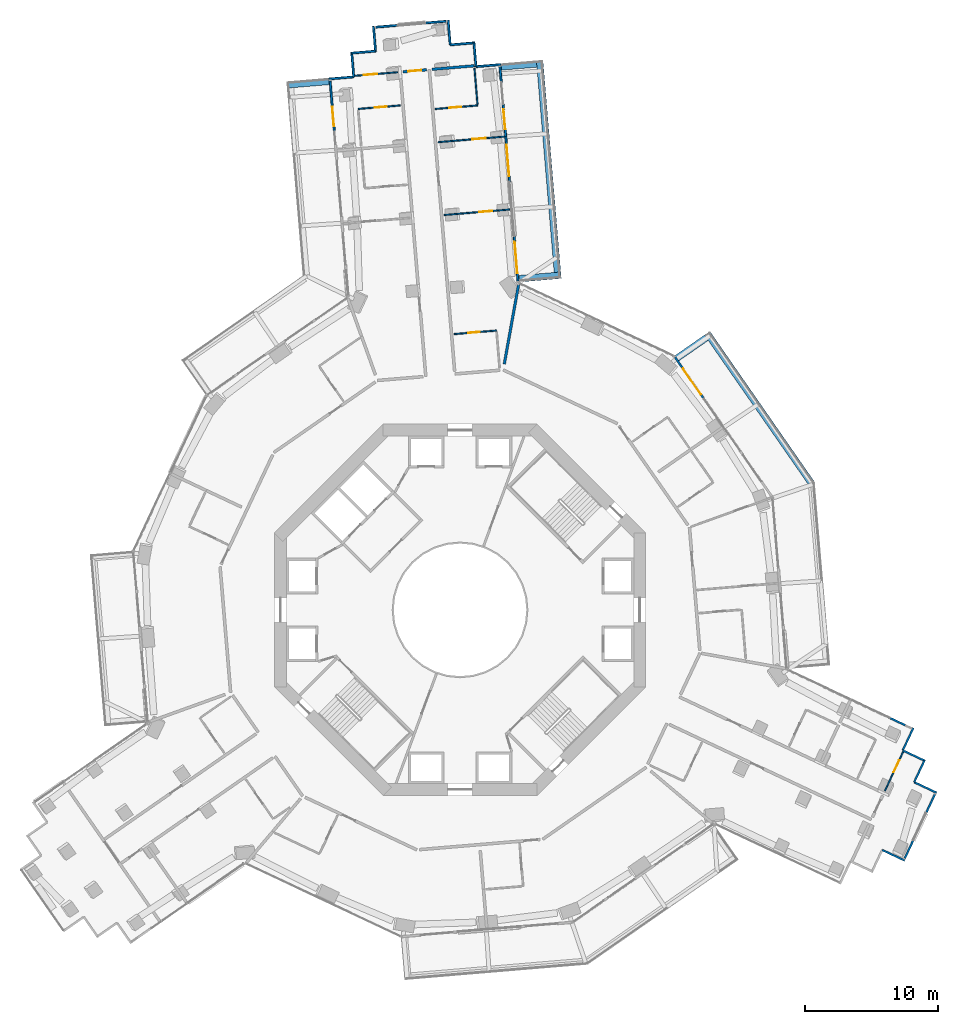
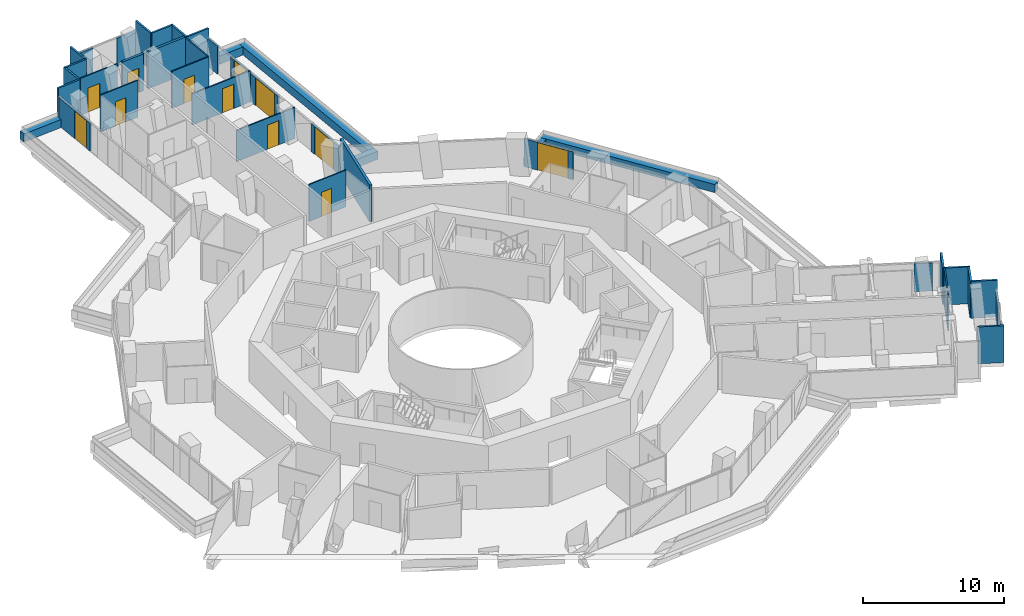
# One storey, part 23 of 26: 41 walls, 13 doors, 13 openings.
"""IFC4 building model written with IfcOpenShell, lengths in metres."""

from ifc_helpers import new_model, si_unit, direction, frame, frame_2d, origin, place, context, subcontext, project, spatial, rectangle, extrude, material, layer, layer_set, type_object, element, fill, save


model = new_model("IFC4")

# Units and contexts
model_context = context("Model", 3, precision=1e-05, world=origin(), true_north=direction((0.0, 1.0)))
body_context = subcontext(model_context, "Body", "Model", "MODEL_VIEW")
ifc_project = project(units=[si_unit("LENGTHUNIT", "METRE"), si_unit("AREAUNIT", "SQUARE_METRE"), si_unit("VOLUMEUNIT", "CUBIC_METRE"), si_unit("PLANEANGLEUNIT", "RADIAN"), si_unit("MASSUNIT", "GRAM", prefix="KILO")], contexts=[model_context])

# Site, building, storey
site_placement = place(None, origin())
site = spatial("IfcSite", under=ifc_project, at=site_placement, CompositionType="ELEMENT")
building_placement = place(site_placement, origin())
building = spatial("IfcBuilding", under=site, at=building_placement, Name="Verdalira Terraces Hotel", CompositionType="ELEMENT")
storey_placement = place(building_placement, frame((0.0, 0.0, 53.0)))
storey = spatial("IfcBuildingStorey", under=building, at=storey_placement, Name="L11", CompositionType="ELEMENT", Elevation=53.0)

# Walls
ifc_material_1 = material(Name="Concrete C40", Category="concrete")
ifc_layer_1 = layer(ifc_material_1, 0.5)
ifc_layer_set_1 = layer_set([ifc_layer_1], Name="Balcony planter trough with tree")
wall_type_1 = type_object("IfcWallType", Name="Balcony planter trough with tree", PredefinedType="SOLIDWALL", material=ifc_layer_set_1)
wall_1_placement = place(storey_placement, frame((-9.870605, 39.854736, 0.0), z_axis=(0.0, 0.0, 1.0), x_axis=(-0.996495576, -0.083645489, 0.0)))
element("IfcWall", 1, at=wall_1_placement, inside=storey, type_object=wall_type_1, Name="Balcony planter", PredefinedType="SOLIDWALL", context=body_context, shape_type="SweptSolid", body=[
    extrude(rectangle(XDim=3.198975, YDim=0.5, at=frame_2d((1.599609, 0.0))), origin(), (0.0, 0.0, 1.0), 0.699951),
])
wall_2_placement = place(storey_placement, frame((26.4646, 9.59668, 0.0), z_axis=(0.0, 0.0, 1.0), x_axis=(-0.570705822, 0.821154593, 0.0)))
element("IfcWall", 2, at=wall_2_placement, inside=storey, type_object=wall_type_1, Name="Balcony planter", PredefinedType="SOLIDWALL", context=body_context, shape_type="SweptSolid", body=[
    extrude(rectangle(XDim=13.723389, YDim=0.5, at=frame_2d((6.861816, 0.0))), origin(), (0.0, 0.0, 1.0), 0.699951),
])
wall_3_placement = place(storey_placement, frame((18.569824, 20.517578, 0.0), z_axis=(0.0, 0.0, 1.0), x_axis=(-0.821165079, -0.570690734, 0.0)))
element("IfcWall", 3, at=wall_3_placement, inside=storey, type_object=wall_type_1, Name="Balcony planter", PredefinedType="SOLIDWALL", context=body_context, shape_type="SweptSolid", body=[
    extrude(rectangle(XDim=2.698975, YDim=0.5, at=frame_2d((1.349609, 0.0))), origin(), (0.0, 0.0, 1.0), 0.699951),
])
wall_4_placement = place(storey_placement, frame((4.42749, 24.966309, 0.0), z_axis=(0.0, 0.0, 1.0), x_axis=(0.996489211, 0.083721273, 0.0)))
element("IfcWall", 4, at=wall_4_placement, inside=storey, type_object=wall_type_1, Name="Balcony planter", PredefinedType="SOLIDWALL", context=body_context, shape_type="SweptSolid", body=[
    extrude(rectangle(XDim=3.198975, YDim=0.5, at=frame_2d((1.599609, 0.0))), origin(), (0.0, 0.0, 1.0), 0.699951),
])
wall_5_placement = place(storey_placement, frame((7.345215, 25.462158, 0.0), z_axis=(0.0, 0.0, 1.0), x_axis=(-0.08367557, 0.99649305, 0.0)))
element("IfcWall", 5, at=wall_5_placement, inside=storey, type_object=wall_type_1, Name="Balcony planter", PredefinedType="SOLIDWALL", context=body_context, shape_type="SweptSolid", body=[
    extrude(rectangle(XDim=16.032715, YDim=0.5, at=frame_2d((8.016357, 0.0))), origin(), (0.0, 0.0, 1.0), 0.699951),
])
wall_6_placement = place(storey_placement, frame((5.775391, 41.168701, 0.0), z_axis=(0.0, 0.0, 1.0), x_axis=(-0.996493156, -0.083674307, 0.0)))
element("IfcWall", 6, at=wall_6_placement, inside=storey, type_object=wall_type_1, Name="Balcony planter", PredefinedType="SOLIDWALL", context=body_context, shape_type="SweptSolid", body=[
    extrude(rectangle(XDim=2.698975, YDim=0.5, at=frame_2d((1.349609, 0.0))), origin(), (0.0, 0.0, 1.0), 0.699951),
])

# Wall, opening, door
ifc_material_2 = material(Name="Moisture-resistant gypsum board partition")
ifc_layer_2 = layer(ifc_material_2, 0.10009765625)
ifc_layer_set_2 = layer_set([ifc_layer_2], Name="Bathroom partition 100 mm")
wall_type_2 = type_object("IfcWallType", Name="Bathroom partition 100 mm", PredefinedType="PARTITIONING", material=ifc_layer_set_2)
wall_7_placement = place(storey_placement, frame((-4.70874, 40.539307, 0.0), z_axis=(0.0, 0.0, 1.0), x_axis=(-0.996490135, -0.083710277, 0.0)))
wall_7 = element("IfcWall", 7, at=wall_7_placement, inside=storey, type_object=wall_type_2, Name="Bathroom partition", PredefinedType="PARTITIONING", context=body_context, shape_type="SweptSolid", body=[
    extrude(rectangle(XDim=3.251953, YDim=0.100098, at=frame_2d((1.625977, 0.0))), origin(), (0.0, 0.0, 1.0), 3.189941),
])
opening_1_placement = place(wall_7_placement, frame((1.550049, 0.0, 0.0)))
opening_1 = element("IfcOpeningElement", 8, at=opening_1_placement, cuts=wall_7, Name="Opening L11-107", PredefinedType="OPENING", context=body_context, shape_type="SweptSolid", body=[
    extrude(rectangle(XDim=1.0, YDim=2.100098, at=frame_2d((0.5, 1.050049))), frame((0.0, 0.060059, 0.0), z_axis=(0.0, -1.0, 0.0), x_axis=(1.0, 0.0, 0.0)), (0.0, 0.0, 1.0), 0.120117),
])
ifc_material_3 = material(Name="Timber door", Category="wood")
door_type_1 = type_object("IfcDoorType", Name="Suite internal door 1000 x 2100", OperationType="NOTDEFINED", PredefinedType="DOOR", material=ifc_material_3)
door_1_placement = place(opening_1_placement, origin())
door_1 = element("IfcDoor", 9, at=door_1_placement, inside=storey, type_object=door_type_1, Name="Suite internal door 1102", OperationType="SINGLE_SWING_LEFT", OverallHeight=2.10009765625, OverallWidth=1.0, PredefinedType="DOOR", context=body_context, shape_type="SweptSolid", body=[
    extrude(rectangle(XDim=1.0, YDim=2.100098, at=frame_2d((0.5, 1.050049))), frame((0.0, 0.024902, 0.0), z_axis=(0.0, -1.0, 0.0), x_axis=(1.0, 0.0, 0.0)), (0.0, 0.0, 1.0), 0.050049),
])
fill(opening_1, door_1)

wall_8_placement = place(storey_placement, frame((-4.498535, 38.037109, 0.0), z_axis=(0.0, 0.0, 1.0), x_axis=(-0.996491885, -0.08368945, 0.0)))
wall_8 = element("IfcWall", 10, at=wall_8_placement, inside=storey, type_object=wall_type_2, Name="Bathroom partition", PredefinedType="PARTITIONING", context=body_context, shape_type="SweptSolid", body=[
    extrude(rectangle(XDim=3.200195, YDim=0.100098, at=frame_2d((1.600098, 0.0))), origin(), (0.0, 0.0, 1.0), 3.189941),
])
opening_2_placement = place(wall_8_placement, frame((1.050049, 0.0, 0.0)))
opening_2 = element("IfcOpeningElement", 11, at=opening_2_placement, cuts=wall_8, Name="Opening L11-108", PredefinedType="OPENING", context=body_context, shape_type="SweptSolid", body=[
    extrude(rectangle(XDim=0.899902, YDim=2.100098, at=frame_2d((0.449951, 1.050049))), frame((0.0, 0.060059, 0.0), z_axis=(0.0, -1.0, 0.0), x_axis=(1.0, 0.0, 0.0)), (0.0, 0.0, 1.0), 0.120117),
])
ifc_material_4 = material(Name="Timber door", Category="wood")
door_type_2 = type_object("IfcDoorType", Name="Bathroom door 900 x 2100", OperationType="NOTDEFINED", PredefinedType="DOOR", material=ifc_material_4)
door_2_placement = place(opening_2_placement, origin())
door_2 = element("IfcDoor", 12, at=door_2_placement, inside=storey, type_object=door_type_2, Name="Bathroom door 1102", OperationType="SINGLE_SWING_RIGHT", OverallHeight=2.10009765625, OverallWidth=0.89990234375, PredefinedType="DOOR", context=body_context, shape_type="SweptSolid", body=[
    extrude(rectangle(XDim=0.899902, YDim=2.100098, at=frame_2d((0.449951, 1.050049))), frame((0.0, 0.024902, 0.0), z_axis=(0.0, -1.0, 0.0), x_axis=(1.0, 0.0, 0.0)), (0.0, 0.0, 1.0), 0.050049),
])
fill(opening_2, door_2)

wall_9_placement = place(storey_placement, frame((-1.866699, 37.76709, 0.0), z_axis=(0.0, 0.0, 1.0), x_axis=(0.99649135, 0.083695813, 0.0)))
wall_9 = element("IfcWall", 13, at=wall_9_placement, inside=storey, type_object=wall_type_2, Name="Bathroom partition", PredefinedType="PARTITIONING", context=body_context, shape_type="SweptSolid", body=[
    extrude(rectangle(XDim=3.199951, YDim=0.100098, at=frame_2d((1.600098, 0.0))), origin(), (0.0, 0.0, 1.0), 3.189941),
])
opening_3_placement = place(wall_9_placement, frame((1.050049, 0.0, 0.0)))
opening_3 = element("IfcOpeningElement", 14, at=opening_3_placement, cuts=wall_9, Name="Opening L11-105", PredefinedType="OPENING", context=body_context, shape_type="SweptSolid", body=[
    extrude(rectangle(XDim=0.899902, YDim=2.100098, at=frame_2d((0.449951, 1.050049))), frame((0.0, 0.060059, 0.0), z_axis=(0.0, -1.0, 0.0), x_axis=(1.0, 0.0, 0.0)), (0.0, 0.0, 1.0), 0.120117),
])
door_3_placement = place(opening_3_placement, origin())
door_3 = element("IfcDoor", 15, at=door_3_placement, inside=storey, type_object=door_type_2, Name="Bathroom door 1101", OperationType="SINGLE_SWING_RIGHT", OverallHeight=2.10009765625, OverallWidth=0.89990234375, PredefinedType="DOOR", context=body_context, shape_type="SweptSolid", body=[
    extrude(rectangle(XDim=0.899902, YDim=2.100098, at=frame_2d((0.449951, 1.050049))), frame((0.0, 0.024902, 0.0), z_axis=(0.0, -1.0, 0.0), x_axis=(1.0, 0.0, 0.0)), (0.0, 0.0, 1.0), 0.050049),
])
fill(opening_3, door_3)

wall_10_placement = place(storey_placement, frame((2.747314, 21.062012, 0.0), z_axis=(0.0, 0.0, 1.0), x_axis=(-0.996491885, -0.08368945, 0.0)))
wall_10 = element("IfcWall", 16, at=wall_10_placement, inside=storey, type_object=wall_type_2, Name="Bathroom partition", PredefinedType="PARTITIONING", context=body_context, shape_type="SweptSolid", body=[
    extrude(rectangle(XDim=3.200195, YDim=0.100098, at=frame_2d((1.600098, 0.0))), origin(), (0.0, 0.0, 1.0), 3.189941),
])
opening_4_placement = place(wall_10_placement, frame((1.25, 0.0, 0.0)))
opening_4 = element("IfcOpeningElement", 17, at=opening_4_placement, cuts=wall_10, Name="Opening L11-104", PredefinedType="OPENING", context=body_context, shape_type="SweptSolid", body=[
    extrude(rectangle(XDim=0.899902, YDim=2.100098, at=frame_2d((0.449951, 1.050049))), frame((0.0, 0.060059, 0.0), z_axis=(0.0, -1.0, 0.0), x_axis=(1.0, 0.0, 0.0)), (0.0, 0.0, 1.0), 0.120117),
])
door_4_placement = place(opening_4_placement, origin())
door_4 = element("IfcDoor", 18, at=door_4_placement, inside=storey, type_object=door_type_2, Name="Bathroom door 1101", OperationType="SINGLE_SWING_LEFT", OverallHeight=2.10009765625, OverallWidth=0.89990234375, PredefinedType="DOOR", context=body_context, shape_type="SweptSolid", body=[
    extrude(rectangle(XDim=0.899902, YDim=2.100098, at=frame_2d((0.449951, 1.050049))), frame((0.0, 0.024902, 0.0), z_axis=(0.0, -1.0, 0.0), x_axis=(1.0, 0.0, 0.0)), (0.0, 0.0, 1.0), 0.050049),
])
fill(opening_4, door_4)

# Wall
wall_11_placement = place(storey_placement, frame((1.313721, 38.134766, 0.0), z_axis=(0.0, 0.0, 1.0), x_axis=(-0.08373394, 0.996488147, 0.0)))
element("IfcWall", 19, at=wall_11_placement, inside=storey, type_object=wall_type_2, Name="Bathroom partition", PredefinedType="PARTITIONING", context=body_context, shape_type="SweptSolid", body=[
    extrude(rectangle(XDim=2.699951, YDim=0.100098, at=frame_2d((1.350098, 0.0))), origin(), (0.0, 0.0, 1.0), 3.189941),
])

# Wall, opening, door
wall_12_placement = place(storey_placement, frame((32.033447, -13.636963, 0.0), z_axis=(0.0, 0.0, 1.0), x_axis=(0.425764495, 0.904834015, 0.0)))
wall_12 = element("IfcWall", 20, at=wall_12_placement, inside=storey, type_object=wall_type_2, Name="Bathroom partition", PredefinedType="PARTITIONING", context=body_context, shape_type="SweptSolid", body=[
    extrude(rectangle(XDim=3.251953, YDim=0.100098, at=frame_2d((1.625977, 0.0))), origin(), (0.0, 0.0, 1.0), 3.189941),
])
opening_5_placement = place(wall_12_placement, frame((1.550049, 0.0, 0.0)))
opening_5 = element("IfcOpeningElement", 21, at=opening_5_placement, cuts=wall_12, Name="Opening L11-128", PredefinedType="OPENING", context=body_context, shape_type="SweptSolid", body=[
    extrude(rectangle(XDim=1.0, YDim=2.100098, at=frame_2d((0.5, 1.050049))), frame((0.0, 0.060059, 0.0), z_axis=(0.0, -1.0, 0.0), x_axis=(1.0, 0.0, 0.0)), (0.0, 0.0, 1.0), 0.120117),
])
door_5_placement = place(opening_5_placement, origin())
door_5 = element("IfcDoor", 22, at=door_5_placement, inside=storey, type_object=door_type_1, Name="Suite internal door 1112", OperationType="SINGLE_SWING_LEFT", OverallHeight=2.10009765625, OverallWidth=1.0, PredefinedType="DOOR", context=body_context, shape_type="SweptSolid", body=[
    extrude(rectangle(XDim=1.0, YDim=2.100098, at=frame_2d((0.5, 1.050049))), frame((0.0, 0.024902, 0.0), z_axis=(0.0, -1.0, 0.0), x_axis=(1.0, 0.0, 0.0)), (0.0, 0.0, 1.0), 0.050049),
])
fill(opening_5, door_5)

ifc_material_5 = material(Name="Moisture-resistant gypsum board partition")
ifc_layer_3 = layer(ifc_material_5, 0.10009765625)
ifc_layer_set_3 = layer_set([ifc_layer_3], Name="Bathroom partition 100 mm to beam soffit")
wall_type_3 = type_object("IfcWallType", Name="Bathroom partition 100 mm to beam soffit", PredefinedType="PARTITIONING", material=ifc_layer_set_3)
wall_13_placement = place(storey_placement, frame((-1.656738, 35.265137, 0.0), z_axis=(0.0, 0.0, 1.0), x_axis=(0.996492206, 0.08368562, 0.0)))
wall_13 = element("IfcWall", 23, at=wall_13_placement, inside=storey, type_object=wall_type_3, Name="Bathroom partition", PredefinedType="PARTITIONING", context=body_context, shape_type="SweptSolid", body=[
    extrude(rectangle(XDim=5.050049, YDim=0.100098, at=frame_2d((2.524902, 0.0))), origin(), (0.0, 0.0, 1.0), 2.689941),
])
opening_6_placement = place(wall_13_placement, frame((2.600098, 0.0, 0.0)))
opening_6 = element("IfcOpeningElement", 24, at=opening_6_placement, cuts=wall_13, Name="Opening L11-103", PredefinedType="OPENING", context=body_context, shape_type="SweptSolid", body=[
    extrude(rectangle(XDim=1.0, YDim=2.100098, at=frame_2d((0.5, 1.050049))), frame((0.0, 0.060059, 0.0), z_axis=(0.0, -1.0, 0.0), x_axis=(1.0, 0.0, 0.0)), (0.0, 0.0, 1.0), 0.120117),
])
door_6_placement = place(opening_6_placement, origin())
door_6 = element("IfcDoor", 25, at=door_6_placement, inside=storey, type_object=door_type_1, Name="Suite internal door 1101", OperationType="SINGLE_SWING_LEFT", OverallHeight=2.10009765625, OverallWidth=1.0, PredefinedType="DOOR", context=body_context, shape_type="SweptSolid", body=[
    extrude(rectangle(XDim=1.0, YDim=2.100098, at=frame_2d((0.5, 1.050049))), frame((0.0, 0.024902, 0.0), z_axis=(0.0, -1.0, 0.0), x_axis=(1.0, 0.0, 0.0)), (0.0, 0.0, 1.0), 0.050049),
])
fill(opening_6, door_6)

wall_14_placement = place(storey_placement, frame((3.83667, 30.196289, 0.0), z_axis=(0.0, 0.0, 1.0), x_axis=(-0.996492206, -0.08368562, 0.0)))
wall_14 = element("IfcWall", 26, at=wall_14_placement, inside=storey, type_object=wall_type_3, Name="Bathroom partition", PredefinedType="PARTITIONING", context=body_context, shape_type="SweptSolid", body=[
    extrude(rectangle(XDim=5.050049, YDim=0.100098, at=frame_2d((2.524902, 0.0))), origin(), (0.0, 0.0, 1.0), 2.689941),
])
opening_7_placement = place(wall_14_placement, frame((1.399902, 0.0, 0.0)))
opening_7 = element("IfcOpeningElement", 27, at=opening_7_placement, cuts=wall_14, Name="Opening L11-102", PredefinedType="OPENING", context=body_context, shape_type="SweptSolid", body=[
    extrude(rectangle(XDim=1.0, YDim=2.100098, at=frame_2d((0.5, 1.050049))), frame((0.0, 0.060059, 0.0), z_axis=(0.0, -1.0, 0.0), x_axis=(1.0, 0.0, 0.0)), (0.0, 0.0, 1.0), 0.120117),
])
door_7_placement = place(opening_7_placement, origin())
door_7 = element("IfcDoor", 28, at=door_7_placement, inside=storey, type_object=door_type_1, Name="Suite internal door 1101", OperationType="SINGLE_SWING_LEFT", OverallHeight=2.10009765625, OverallWidth=1.0, PredefinedType="DOOR", context=body_context, shape_type="SweptSolid", body=[
    extrude(rectangle(XDim=1.0, YDim=2.100098, at=frame_2d((0.5, 1.050049))), frame((0.0, 0.024902, 0.0), z_axis=(0.0, -1.0, 0.0), x_axis=(1.0, 0.0, 0.0)), (0.0, 0.0, 1.0), 0.050049),
])
fill(opening_7, door_7)

# Walls
ifc_material_6 = material(Name="Fire-rated gypsum board wall")
ifc_layer_4 = layer(ifc_material_6, 0.199951171875)
ifc_layer_set_4 = layer_set([ifc_layer_4], Name="Demising wall 200 mm")
wall_type_4 = type_object("IfcWallType", Name="Demising wall 200 mm", PredefinedType="SOLIDWALL", material=ifc_layer_set_4)
wall_15_placement = place(storey_placement, frame((-2.11792, 40.756592, 0.0), z_axis=(0.0, 0.0, 1.0), x_axis=(0.99649135, 0.083695813, 0.0)))
element("IfcWall", 29, at=wall_15_placement, inside=storey, type_object=wall_type_4, Name="Demising wall", PredefinedType="SOLIDWALL", context=body_context, shape_type="SweptSolid", body=[
    extrude(rectangle(XDim=3.199951, YDim=0.199951, at=frame_2d((1.600098, 0.0))), origin(), (0.0, 0.0, 1.0), 3.189941),
])
wall_16_placement = place(storey_placement, frame((4.420898, 24.56958, 0.0), z_axis=(0.0, 0.0, 1.0), x_axis=(-0.177091295, -0.984194429, 0.0)))
element("IfcWall", 30, at=wall_16_placement, inside=storey, type_object=wall_type_4, Name="Demising wall", PredefinedType="SOLIDWALL", context=body_context, shape_type="SweptSolid", body=[
    extrude(rectangle(XDim=6.13208, YDim=0.199951, at=frame_2d((3.065918, 0.0))), origin(), (0.0, 0.0, 1.0), 3.189941),
])

# Wall, opening, door
ifc_material_7 = material(Name="Fire-rated gypsum board wall")
ifc_layer_5 = layer(ifc_material_7, 0.199951171875)
ifc_layer_set_5 = layer_set([ifc_layer_5], Name="Guest corridor wall 200 mm")
wall_type_5 = type_object("IfcWallType", Name="Guest corridor wall 200 mm", PredefinedType="SOLIDWALL", material=ifc_layer_set_5)
wall_17_placement = place(storey_placement, frame((-4.312012, 40.57251, 0.0), z_axis=(0.0, 0.0, 1.0), x_axis=(0.996487577, 0.083740729, 0.0)))
wall_17 = element("IfcWall", 31, at=wall_17_placement, inside=storey, type_object=wall_type_5, Name="Guest corridor wall", PredefinedType="SOLIDWALL", context=body_context, shape_type="SweptSolid", body=[
    extrude(rectangle(XDim=1.801758, YDim=0.199951, at=frame_2d((0.900879, 0.0))), origin(), (0.0, 0.0, 1.0), 3.189941),
])
opening_8_placement = place(wall_17_placement, frame((0.399902, 0.0, 0.0)))
opening_8 = element("IfcOpeningElement", 32, at=opening_8_placement, cuts=wall_17, Name="Opening L11-106", PredefinedType="OPENING", context=body_context, shape_type="SweptSolid", body=[
    extrude(rectangle(XDim=1.0, YDim=2.100098, at=frame_2d((0.5, 1.050049))), frame((0.0, 0.109863, 0.0), z_axis=(0.0, -1.0, 0.0), x_axis=(1.0, 0.0, 0.0)), (0.0, 0.0, 1.0), 0.219971),
])
ifc_material_8 = material(Name="Timber fire door", Category="wood")
door_type_3 = type_object("IfcDoorType", Name="Guest entry door 1000 x 2100", OperationType="NOTDEFINED", PredefinedType="DOOR", material=ifc_material_8)
door_8_placement = place(opening_8_placement, origin())
door_8 = element("IfcDoor", 33, at=door_8_placement, inside=storey, type_object=door_type_3, Name="Guest entry door 1102", OperationType="SINGLE_SWING_LEFT", OverallHeight=2.10009765625, OverallWidth=1.0, PredefinedType="DOOR", context=body_context, shape_type="SweptSolid", body=[
    extrude(rectangle(XDim=1.0, YDim=2.100098, at=frame_2d((0.5, 1.050049))), frame((0.0, 0.024902, 0.0), z_axis=(0.0, -1.0, 0.0), x_axis=(1.0, 0.0, 0.0)), (0.0, 0.0, 1.0), 0.050049),
])
fill(opening_8, door_8)

# Walls
ifc_material_9 = material(Name="Terracotta cladding", Category="masonry")
ifc_layer_6 = layer(ifc_material_9, 0.14990234375)
ifc_layer_set_6 = layer_set([ifc_layer_6], Name="Terracotta clad wall 150")
wall_type_6 = type_object("IfcWallType", Name="Terracotta clad wall 150", PredefinedType="SOLIDWALL", material=ifc_layer_set_6)
wall_18_placement = place(storey_placement, frame((3.070068, 41.117188, 0.0), z_axis=(0.0, 0.0, 1.0), x_axis=(-0.996488953, -0.083724343, 0.0)))
element("IfcWall", 34, at=wall_18_placement, inside=storey, type_object=wall_type_6, Name="Terracotta cladding wall", PredefinedType="SOLIDWALL", context=body_context, shape_type="SweptSolid", body=[
    extrude(rectangle(XDim=1.875, YDim=0.149902, at=frame_2d((0.9375, 0.0))), origin(), (0.0, 0.0, 1.0), 3.189941),
])
wall_19_placement = place(storey_placement, frame((1.20166, 40.960205, 0.0), z_axis=(0.0, 0.0, 1.0), x_axis=(-0.083685274, 0.996492235, 0.0)))
element("IfcWall", 35, at=wall_19_placement, inside=storey, type_object=wall_type_6, Name="Terracotta cladding wall", PredefinedType="SOLIDWALL", context=body_context, shape_type="SweptSolid", body=[
    extrude(rectangle(XDim=1.800049, YDim=0.149902, at=frame_2d((0.899902, 0.0))), origin(), (0.0, 0.0, 1.0), 3.189941),
])
wall_20_placement = place(storey_placement, frame((1.125977, 42.760254, 0.0), z_axis=(0.0, 0.0, 1.0), x_axis=(-0.996489866, -0.083713481, 0.0)))
element("IfcWall", 36, at=wall_20_placement, inside=storey, type_object=wall_type_6, Name="Terracotta cladding wall", PredefinedType="SOLIDWALL", context=body_context, shape_type="SweptSolid", body=[
    extrude(rectangle(XDim=1.875244, YDim=0.149902, at=frame_2d((0.9375, 0.0))), origin(), (0.0, 0.0, 1.0), 3.189941),
])
for number, where, z_axis, x_axis, name in (
    (37, (-0.742676, 42.603271, 0.0), (0.0, 0.0, 1.0), (-0.083595045, 0.996499809, 0.0), "Terracotta cladding wall"),
    (38, (-6.529541, 43.999023, 0.0), (0.0, 0.0, 1.0), (0.083595045, -0.996499809, 0.0), "Terracotta cladding wall"),
):
    element("IfcWall", number, at=place(storey_placement, frame(where, z_axis=z_axis, x_axis=x_axis)), inside=storey, type_object=wall_type_6, Name=name, PredefinedType="SOLIDWALL", context=body_context, shape_type="SweptSolid", body=[
        extrude(rectangle(XDim=1.875, YDim=0.149902, at=frame_2d((0.9375, 0.0))), origin(), (0.0, 0.0, 1.0), 3.189941),
    ])
wall_21_placement = place(storey_placement, frame((-6.372803, 42.130615, 0.0), z_axis=(0.0, 0.0, 1.0), x_axis=(-0.996492235, -0.083685274, 0.0)))
element("IfcWall", 39, at=wall_21_placement, inside=storey, type_object=wall_type_6, Name="Terracotta cladding wall", PredefinedType="SOLIDWALL", context=body_context, shape_type="SweptSolid", body=[
    extrude(rectangle(XDim=1.800049, YDim=0.149902, at=frame_2d((0.899902, 0.0))), origin(), (0.0, 0.0, 1.0), 3.189941),
])
for number, where, z_axis, x_axis, name in (
    (40, (-8.172607, 42.054688, 0.0), (0.0, 0.0, 1.0), (0.083595045, -0.996499809, 0.0), "Terracotta cladding wall"),
    (41, (-8.015869, 40.186279, 0.0), (0.0, 0.0, 1.0), (-0.996488953, -0.083724343, 0.0), "Terracotta cladding wall"),
    (42, (31.837891, -18.104004, 0.0), (0.0, 0.0, 1.0), (0.904824604, -0.425784495, 0.0), "Terracotta cladding wall"),
    (43, (35.939941, -13.790039, 0.0), (0.0, 0.0, 1.0), (-0.904824604, 0.425784495, 0.0), "Terracotta cladding wall"),
):
    element("IfcWall", number, at=place(storey_placement, frame(where, z_axis=z_axis, x_axis=x_axis)), inside=storey, type_object=wall_type_6, Name=name, PredefinedType="SOLIDWALL", context=body_context, shape_type="SweptSolid", body=[
        extrude(rectangle(XDim=1.875, YDim=0.149902, at=frame_2d((0.9375, 0.0))), origin(), (0.0, 0.0, 1.0), 3.189941),
    ])
wall_22_placement = place(storey_placement, frame((34.243408, -12.991699, 0.0), z_axis=(0.0, 0.0, 1.0), x_axis=(0.425875415, 0.904781814, 0.0)))
element("IfcWall", 44, at=wall_22_placement, inside=storey, type_object=wall_type_6, Name="Terracotta cladding wall", PredefinedType="SOLIDWALL", context=body_context, shape_type="SweptSolid", body=[
    extrude(rectangle(XDim=1.800049, YDim=0.149902, at=frame_2d((0.899902, 0.0))), origin(), (0.0, 0.0, 1.0), 3.189941),
])
for number, where, z_axis, x_axis, name in (
    (45, (35.077637, -11.394775, 0.0), (0.0, 0.0, 1.0), (-0.904824604, 0.425784495, 0.0), "Terracotta cladding wall"),
    (46, (33.381104, -10.596436, 0.0), (0.0, 0.0, 1.0), (0.425784495, 0.904824604, 0.0), "Terracotta cladding wall"),
):
    element("IfcWall", number, at=place(storey_placement, frame(where, z_axis=z_axis, x_axis=x_axis)), inside=storey, type_object=wall_type_6, Name=name, PredefinedType="SOLIDWALL", context=body_context, shape_type="SweptSolid", body=[
        extrude(rectangle(XDim=1.875, YDim=0.149902, at=frame_2d((0.9375, 0.0))), origin(), (0.0, 0.0, 1.0), 3.189941),
    ])
ifc_material_10 = material(Name="Terracotta cladding", Category="masonry")
ifc_layer_7 = layer(ifc_material_10, 0.14990234375)
ifc_layer_set_7 = layer_set([ifc_layer_7], Name="Terracotta column pier 150")
wall_type_7 = type_object("IfcWallType", Name="Terracotta column pier 150", PredefinedType="SOLIDWALL", material=ifc_layer_set_7)
wall_23_placement = place(storey_placement, frame((3.107666, 39.774414, 0.0), z_axis=(0.0, 0.0, 1.0), x_axis=(-0.083687371, 0.996492059, 0.0)))
element("IfcWall", 47, at=wall_23_placement, inside=storey, type_object=wall_type_7, Name="Terracotta column pier", PredefinedType="SOLIDWALL", context=body_context, shape_type="SweptSolid", body=[
    extrude(rectangle(XDim=1.196045, YDim=0.149902, at=frame_2d((0.598145, 0.0))), origin(), (0.0, 0.0, 1.0), 2.425049),
])
wall_24_placement = place(storey_placement, frame((-1.047607, 44.384033, 0.0), z_axis=(0.0, 0.0, 1.0), x_axis=(-0.996492412, -0.08368317, 0.0)))
element("IfcWall", 48, at=wall_24_placement, inside=storey, type_object=wall_type_7, Name="Terracotta column pier", PredefinedType="SOLIDWALL", context=body_context, shape_type="SweptSolid", body=[
    extrude(rectangle(XDim=1.584229, YDim=0.149902, at=frame_2d((0.791992, 0.0))), origin(), (0.0, 0.0, 1.0), 2.425049),
])
wall_25_placement = place(storey_placement, frame((-4.694824, 44.077637, 0.0), z_axis=(0.0, 0.0, 1.0), x_axis=(-0.996502527, -0.08356263, 0.0)))
element("IfcWall", 49, at=wall_25_placement, inside=storey, type_object=wall_type_7, Name="Terracotta column pier", PredefinedType="SOLIDWALL", context=body_context, shape_type="SweptSolid", body=[
    extrude(rectangle(XDim=1.679932, YDim=0.149902, at=frame_2d((0.839844, 0.0))), origin(), (0.0, 0.0, 1.0), 2.425049),
])
wall_26_placement = place(storey_placement, frame((33.532471, -18.72998, 0.0), z_axis=(0.0, 0.0, 1.0), x_axis=(0.425757651, 0.904837236, 0.0)))
element("IfcWall", 50, at=wall_26_placement, inside=storey, type_object=wall_type_7, Name="Terracotta column pier", PredefinedType="SOLIDWALL", context=body_context, shape_type="SweptSolid", body=[
    extrude(rectangle(XDim=1.492676, YDim=0.149902, at=frame_2d((0.746338, 0.0))), origin(), (0.0, 0.0, 1.0), 2.425049),
])
wall_27_placement = place(storey_placement, frame((35.133545, -15.327881, 0.0), z_axis=(0.0, 0.0, 1.0), x_axis=(0.425700295, 0.904864221, 0.0)))
element("IfcWall", 51, at=wall_27_placement, inside=storey, type_object=wall_type_7, Name="Terracotta column pier", PredefinedType="SOLIDWALL", context=body_context, shape_type="SweptSolid", body=[
    extrude(rectangle(XDim=1.580078, YDim=0.149902, at=frame_2d((0.790039, 0.0))), origin(), (0.0, 0.0, 1.0), 2.425049),
])
wall_28_placement = place(storey_placement, frame((33.582031, -8.70166, 0.0), z_axis=(0.0, 0.0, 1.0), x_axis=(-0.904868856, 0.425690444, 0.0)))
element("IfcWall", 52, at=wall_28_placement, inside=storey, type_object=wall_type_7, Name="Terracotta column pier", PredefinedType="SOLIDWALL", context=body_context, shape_type="SweptSolid", body=[
    extrude(rectangle(XDim=1.32373, YDim=0.149902, at=frame_2d((0.661865, 0.0))), origin(), (0.0, 0.0, 1.0), 2.425049),
])

# Wall, opening, door
ifc_material_11 = material(Name="Terracotta cladding", Category="masonry")
ifc_layer_8 = layer(ifc_material_11, 0.14990234375)
ifc_layer_set_8 = layer_set([ifc_layer_8], Name="Terracotta door pier 150")
wall_type_8 = type_object("IfcWallType", Name="Terracotta door pier 150", PredefinedType="SOLIDWALL", material=ifc_layer_set_8)
wall_29_placement = place(storey_placement, frame((4.366699, 24.780518, 0.0), z_axis=(0.0, 0.0, 1.0), x_axis=(-0.083674993, 0.996493099, 0.0)))
wall_29 = element("IfcWall", 53, at=wall_29_placement, inside=storey, type_object=wall_type_8, Name="Terracotta door pier", PredefinedType="SOLIDWALL", context=body_context, shape_type="SweptSolid", body=[
    extrude(rectangle(XDim=3.4021, YDim=0.149902, at=frame_2d((1.701172, 0.0))), origin(), (0.0, 0.0, 1.0), 2.425049),
])
opening_9_placement = place(wall_29_placement, frame((0.601807, 0.0, 0.0)))
opening_9 = element("IfcOpeningElement", 54, at=opening_9_placement, cuts=wall_29, Name="Opening L11-B01", PredefinedType="OPENING", context=body_context, shape_type="SweptSolid", body=[
    extrude(rectangle(XDim=2.399902, YDim=2.399902, at=frame_2d((1.199951, 1.199951))), frame((0.0, 0.084961, 0.0), z_axis=(0.0, -1.0, 0.0), x_axis=(1.0, 0.0, 0.0)), (0.0, 0.0, 1.0), 0.169922),
])
ifc_material_12 = material(Name="Clear glass", Category="glass")
door_type_4 = type_object("IfcDoorType", Name="Balcony sliding door 2400x2400", OperationType="NOTDEFINED", PredefinedType="DOOR", material=ifc_material_12)
door_9_placement = place(opening_9_placement, origin())
door_9 = element("IfcDoor", 55, at=door_9_placement, inside=storey, type_object=door_type_4, Name="Balcony sliding door", OperationType="SLIDING_TO_LEFT", OverallHeight=2.39990234375, OverallWidth=2.39990234375, PredefinedType="DOOR", context=body_context, shape_type="SweptSolid", body=[
    extrude(rectangle(XDim=2.399902, YDim=2.399902, at=frame_2d((1.199951, 1.199951))), frame((0.0, 0.024902, 0.0), z_axis=(0.0, -1.0, 0.0), x_axis=(1.0, 0.0, 0.0)), (0.0, 0.0, 1.0), 0.050049),
])
fill(opening_9, door_9)

wall_30_placement = place(storey_placement, frame((3.736816, 32.282471, 0.0), z_axis=(0.0, 0.0, 1.0), x_axis=(-0.083718236, 0.996489467, 0.0)))
wall_30 = element("IfcWall", 56, at=wall_30_placement, inside=storey, type_object=wall_type_8, Name="Terracotta door pier", PredefinedType="SOLIDWALL", context=body_context, shape_type="SweptSolid", body=[
    extrude(rectangle(XDim=3.423584, YDim=0.149902, at=frame_2d((1.711914, 0.0))), origin(), (0.0, 0.0, 1.0), 2.425049),
])
opening_10_placement = place(wall_30_placement, frame((0.399902, 0.0, 0.0)))
opening_10 = element("IfcOpeningElement", 57, at=opening_10_placement, cuts=wall_30, Name="Opening L11-B02", PredefinedType="OPENING", context=body_context, shape_type="SweptSolid", body=[
    extrude(rectangle(XDim=2.399902, YDim=2.399902, at=frame_2d((1.199951, 1.199951))), frame((0.0, 0.084961, 0.0), z_axis=(0.0, -1.0, 0.0), x_axis=(1.0, 0.0, 0.0)), (0.0, 0.0, 1.0), 0.169922),
])
door_10_placement = place(opening_10_placement, origin())
door_10 = element("IfcDoor", 58, at=door_10_placement, inside=storey, type_object=door_type_4, Name="Balcony sliding door", OperationType="SLIDING_TO_RIGHT", OverallHeight=2.39990234375, OverallWidth=2.39990234375, PredefinedType="DOOR", context=body_context, shape_type="SweptSolid", body=[
    extrude(rectangle(XDim=2.399902, YDim=2.399902, at=frame_2d((1.199951, 1.199951))), frame((0.0, 0.024902, 0.0), z_axis=(0.0, -1.0, 0.0), x_axis=(1.0, 0.0, 0.0)), (0.0, 0.0, 1.0), 0.050049),
])
fill(opening_10, door_10)

wall_31_placement = place(storey_placement, frame((3.450195, 35.694092, 0.0), z_axis=(0.0, 0.0, 1.0), x_axis=(-0.083606255, 0.996498868, 0.0)))
wall_31 = element("IfcWall", 59, at=wall_31_placement, inside=storey, type_object=wall_type_8, Name="Terracotta door pier", PredefinedType="SOLIDWALL", context=body_context, shape_type="SweptSolid", body=[
    extrude(rectangle(XDim=2.449951, YDim=0.149902, at=frame_2d((1.225098, 0.0))), origin(), (0.0, 0.0, 1.0), 2.425049),
])
opening_11_placement = place(wall_31_placement, frame((0.550049, 0.0, 0.0)))
opening_11 = element("IfcOpeningElement", 60, at=opening_11_placement, cuts=wall_31, Name="Opening L11-B03", PredefinedType="OPENING", context=body_context, shape_type="SweptSolid", body=[
    extrude(rectangle(XDim=1.5, YDim=2.399902, at=frame_2d((0.75, 1.199951))), frame((0.0, 0.084961, 0.0), z_axis=(0.0, -1.0, 0.0), x_axis=(1.0, 0.0, 0.0)), (0.0, 0.0, 1.0), 0.169922),
])
ifc_material_13 = material(Name="Clear glass", Category="glass")
door_type_5 = type_object("IfcDoorType", Name="Balcony sliding door 1500x2400", OperationType="NOTDEFINED", PredefinedType="DOOR", material=ifc_material_13)
door_11_placement = place(opening_11_placement, origin())
door_11 = element("IfcDoor", 61, at=door_11_placement, inside=storey, type_object=door_type_5, Name="Balcony sliding door", OperationType="SLIDING_TO_LEFT", OverallHeight=2.39990234375, OverallWidth=1.5, PredefinedType="DOOR", context=body_context, shape_type="SweptSolid", body=[
    extrude(rectangle(XDim=1.5, YDim=2.399902, at=frame_2d((0.75, 1.199951))), frame((0.0, 0.024902, 0.0), z_axis=(0.0, -1.0, 0.0), x_axis=(1.0, 0.0, 0.0)), (0.0, 0.0, 1.0), 0.050049),
])
fill(opening_11, door_11)

wall_32_placement = place(storey_placement, frame((-9.797363, 39.891113, 0.0), z_axis=(0.0, 0.0, 1.0), x_axis=(0.083700929, -0.99649092, 0.0)))
wall_32 = element("IfcWall", 62, at=wall_32_placement, inside=storey, type_object=wall_type_8, Name="Terracotta door pier", PredefinedType="SOLIDWALL", context=body_context, shape_type="SweptSolid", body=[
    extrude(rectangle(XDim=3.853027, YDim=0.149902, at=frame_2d((1.926514, 0.0))), origin(), (0.0, 0.0, 1.0), 2.425049),
])
opening_12_placement = place(wall_32_placement, frame((1.953125, 0.0, 0.0)))
opening_12 = element("IfcOpeningElement", 63, at=opening_12_placement, cuts=wall_32, Name="Opening L11-B04", PredefinedType="OPENING", context=body_context, shape_type="SweptSolid", body=[
    extrude(rectangle(XDim=1.5, YDim=2.399902, at=frame_2d((0.75, 1.199951))), frame((0.0, 0.084961, 0.0), z_axis=(0.0, -1.0, 0.0), x_axis=(1.0, 0.0, 0.0)), (0.0, 0.0, 1.0), 0.169922),
])
door_12_placement = place(opening_12_placement, origin())
door_12 = element("IfcDoor", 64, at=door_12_placement, inside=storey, type_object=door_type_5, Name="Balcony sliding door", OperationType="SLIDING_TO_LEFT", OverallHeight=2.39990234375, OverallWidth=1.5, PredefinedType="DOOR", context=body_context, shape_type="SweptSolid", body=[
    extrude(rectangle(XDim=1.5, YDim=2.399902, at=frame_2d((0.75, 1.199951))), frame((0.0, 0.024902, 0.0), z_axis=(0.0, -1.0, 0.0), x_axis=(1.0, 0.0, 0.0)), (0.0, 0.0, 1.0), 0.050049),
])
fill(opening_12, door_12)

wall_33_placement = place(storey_placement, frame((18.398193, 15.902344, 0.0), z_axis=(0.0, 0.0, 1.0), x_axis=(-0.570742323, 0.821129223, 0.0)))
wall_33 = element("IfcWall", 65, at=wall_33_placement, inside=storey, type_object=wall_type_8, Name="Terracotta door pier", PredefinedType="SOLIDWALL", context=body_context, shape_type="SweptSolid", body=[
    extrude(rectangle(XDim=3.841797, YDim=0.149902, at=frame_2d((1.920898, 0.0))), origin(), (0.0, 0.0, 1.0), 2.425049),
])
opening_13_placement = place(wall_33_placement, frame((0.399902, 0.0, 0.0)))
opening_13 = element("IfcOpeningElement", 66, at=opening_13_placement, cuts=wall_33, Name="Opening L11-B18", PredefinedType="OPENING", context=body_context, shape_type="SweptSolid", body=[
    extrude(rectangle(XDim=2.399902, YDim=2.399902, at=frame_2d((1.199951, 1.199951))), frame((0.0, 0.084961, 0.0), z_axis=(0.0, -1.0, 0.0), x_axis=(1.0, 0.0, 0.0)), (0.0, 0.0, 1.0), 0.169922),
])
door_13_placement = place(opening_13_placement, origin())
door_13 = element("IfcDoor", 67, at=door_13_placement, inside=storey, type_object=door_type_4, Name="Balcony sliding door", OperationType="SLIDING_TO_RIGHT", OverallHeight=2.39990234375, OverallWidth=2.39990234375, PredefinedType="DOOR", context=body_context, shape_type="SweptSolid", body=[
    extrude(rectangle(XDim=2.399902, YDim=2.399902, at=frame_2d((1.199951, 1.199951))), frame((0.0, 0.024902, 0.0), z_axis=(0.0, -1.0, 0.0), x_axis=(1.0, 0.0, 0.0)), (0.0, 0.0, 1.0), 0.050049),
])
fill(opening_13, door_13)

save(model, "model.ifc")
